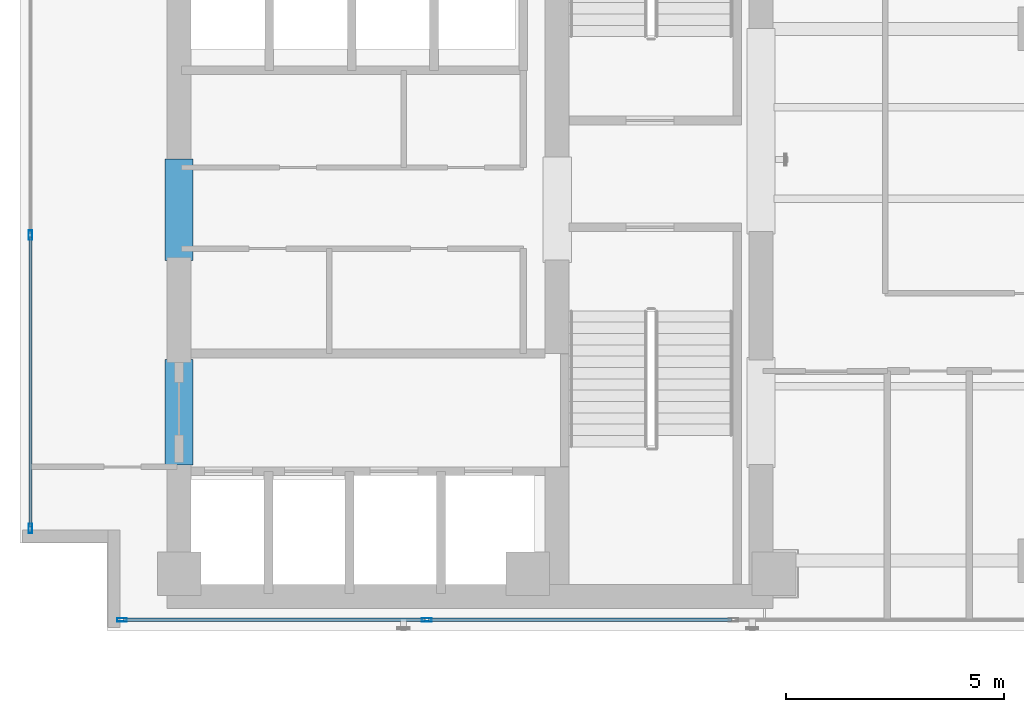
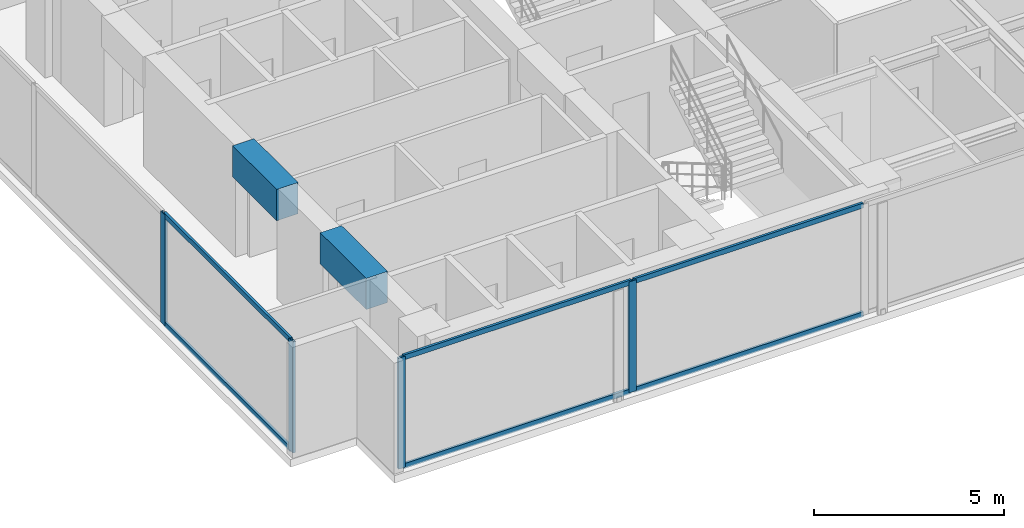
# One storey, part 2 of 23: 10 members, 2 beams, 2 elements without a shape of their own.
"""IFC4 building model written with IfcOpenShell, lengths in metres."""

from ifc_helpers import new_model, si_unit, direction, frame, origin, origin_with_axes, origin_2d, place, context, subcontext, project, spatial, rectangle, hollow_rectangle, extrude, source, transform, mapped, material, layer, layer_set, material_profile, profile_set, type_object, element, aggregate, save


model = new_model("IFC4")

# Units and contexts
model_context = context("Model", 3, precision=1e-05, world=origin(), true_north=direction((0.0, 1.0)))
body_context = subcontext(model_context, "Body", "Model", "MODEL_VIEW")
ifc_project = project(units=[si_unit("LENGTHUNIT", "METRE"), si_unit("AREAUNIT", "SQUARE_METRE"), si_unit("VOLUMEUNIT", "CUBIC_METRE"), si_unit("PLANEANGLEUNIT", "RADIAN"), si_unit("MASSUNIT", "GRAM", prefix="KILO")], contexts=[model_context])

# Site, building, storey
site_placement = place(None, origin())
site = spatial("IfcSite", under=ifc_project, at=site_placement, CompositionType="ELEMENT")
building_placement = place(site_placement, origin())
building = spatial("IfcBuilding", under=site, at=building_placement, Name="Kolvaren Waterfront Exchange", CompositionType="ELEMENT")
storey_placement = place(building_placement, frame((0.0, 0.0, 242.5)))
storey = spatial("IfcBuildingStorey", under=building, at=storey_placement, Name="L62", CompositionType="ELEMENT", Elevation=242.5)

# Beams
ifc_material_1 = material(Name="Concrete C60/75", Category="concrete")
ifc_material_profile_1 = material_profile(ifc_material_1, rectangle(XDim=0.64990234375, YDim=1.0, at=origin_2d()), Name="RC-CB-1000x650")
ifc_profile_set_1 = profile_set([ifc_material_profile_1], Name="Concrete C60/75")
beam_type = type_object("IfcBeamType", Name="STR-CB-1000", PredefinedType="SPANDREL", material=ifc_profile_set_1)
beam_1_placement = place(storey_placement, frame((7.449951171875, 7.389892578125, 3.06005859375), z_axis=(0.0, 1.0, 0.0), x_axis=(-1.0, 0.0, 0.0)))
element("IfcBeam", 1, at=beam_1_placement, inside=storey, type_object=beam_type, Name="L62 core coupling beam 3", PredefinedType="SPANDREL", context=body_context, shape_type="SweptSolid", body=[
    extrude(rectangle(XDim=0.64990234375, YDim=1.0, at=origin_2d()), origin(), (0.0, 0.0, 1.0), 2.420166015625),
])
beam_2_placement = place(storey_placement, frame((7.449951171875, 12.090087890625, 3.06005859375), z_axis=(0.0, 1.0, 0.0), x_axis=(-1.0, 0.0, 0.0)))
element("IfcBeam", 2, at=beam_2_placement, inside=storey, type_object=beam_type, Name="L62 core coupling beam 4", PredefinedType="SPANDREL", context=body_context, shape_type="SweptSolid", body=[
    extrude(rectangle(XDim=0.64990234375, YDim=1.0, at=origin_2d()), origin(), (0.0, 0.0, 1.0), 2.31982421875),
])

# Curtain wall, members
ifc_material_2 = material(Name="Anodised bronze aluminium 6063-T6", Category="aluminium")
ifc_layer_1 = layer(ifc_material_2, 0.219970703125, Name="Anodised bronze aluminium 6063-T6")
ifc_layer_set_1 = layer_set([ifc_layer_1], Name="Anodised bronze aluminium 6063-T6")
curtain_wall_type_1 = type_object("IfcCurtainWallType", Name="ARC-CW-SYS1", PredefinedType="USERDEFINED", material=ifc_layer_set_1)
curtain_wall_1_placement = place(storey_placement, origin())
curtain_wall_1 = element("IfcCurtainWall", 3, at=curtain_wall_1_placement, inside=storey, type_object=curtain_wall_type_1, Name="L62 stick curtain wall CW1 (CW-L62-S)", ObjectType="STICK CURTAIN WALL", PredefinedType="USERDEFINED")
ifc_material_3 = material(Name="Anodised aluminium 6063-T6", Category="aluminium")
ifc_material_profile_2 = material_profile(ifc_material_3, hollow_rectangle(XDim=0.080078125, YDim=0.219970703125, WallThickness=0.0048828125, at=origin_2d()), Name="ALU-MUL-220x80x5")
ifc_profile_set_2 = profile_set([ifc_material_profile_2], Name="Anodised aluminium 6063-T6")
member_type_1 = type_object("IfcMemberType", Name="ARC-CWM-220", PredefinedType="MULLION", material=ifc_profile_set_2)
shared_shape_1 = source(origin_with_axes(), body_context, "Body", "SweptSolid", [
    extrude(hollow_rectangle(XDim=0.080078125, YDim=0.219970703125, WallThickness=0.0048828125, at=origin_2d()), origin(), (0.0, 0.0, 1.0), 3.56005859375),
])
member_1_placement = place(storey_placement, frame((6.139892578125, 3.840087890625, 0.0), z_axis=(0.0, 0.0, 1.0), x_axis=(0.0, 1.0, 0.0)))
member_1 = element("IfcMember", 4, at=member_1_placement, type_object=member_type_1, Name="CW1 mullion 1", PredefinedType="MULLION", context=body_context, shape_type="MappedRepresentation", body=[
    mapped(shared_shape_1, transform((0.0, 0.0, 0.0), x_axis=(1.0, 0.0, 0.0), y_axis=(0.0, 1.0, 0.0), z_axis=(0.0, 0.0, 1.0), scale=1.0)),
])
member_2_placement = place(storey_placement, frame((13.13330078125, 3.840087890625, 0.0), z_axis=(0.0, 0.0, 1.0), x_axis=(0.0, 1.0, 0.0)))
member_2 = element("IfcMember", 5, at=member_2_placement, type_object=member_type_1, Name="CW1 mullion 2", PredefinedType="MULLION", context=body_context, shape_type="MappedRepresentation", body=[
    mapped(shared_shape_1, transform((0.0, 0.0, 0.0), x_axis=(1.0, 0.0, 0.0), y_axis=(0.0, 1.0, 0.0), z_axis=(0.0, 0.0, 1.0), scale=1.0)),
])

ifc_layer_2 = layer(ifc_material_3, 0.219970703125, Name="Anodised aluminium 6063-T6")
ifc_layer_set_2 = layer_set([ifc_layer_2], Name="Anodised aluminium 6063-T6")
curtain_wall_type_2 = type_object("IfcCurtainWallType", Name="ARC-CW-SYS2", PredefinedType="USERDEFINED", material=ifc_layer_set_2)
curtain_wall_2_placement = place(storey_placement, origin())
curtain_wall_2 = element("IfcCurtainWall", 6, at=curtain_wall_2_placement, inside=storey, type_object=curtain_wall_type_2, Name="L62 stick curtain wall CW2 (CW-L62-W)", ObjectType="STICK CURTAIN WALL", PredefinedType="USERDEFINED")
member_3_placement = place(storey_placement, frame((4.0400390625, 5.93994140625, 0.0), z_axis=(0.0, 0.0, 1.0), x_axis=(-1.0, 0.0, 0.0)))
member_3 = element("IfcMember", 7, at=member_3_placement, type_object=member_type_1, Name="CW2 mullion 1", PredefinedType="MULLION", context=body_context, shape_type="MappedRepresentation", body=[
    mapped(shared_shape_1, transform((0.0, 0.0, 0.0), x_axis=(1.0, 0.0, 0.0), y_axis=(0.0, 1.0, 0.0), z_axis=(0.0, 0.0, 1.0), scale=1.0)),
])
member_4_placement = place(storey_placement, frame((4.0400390625, 12.666748046875, 0.0), z_axis=(0.0, 0.0, 1.0), x_axis=(-1.0, 0.0, 0.0)))
member_4 = element("IfcMember", 8, at=member_4_placement, type_object=member_type_1, Name="CW2 mullion 2", PredefinedType="MULLION", context=body_context, shape_type="MappedRepresentation", body=[
    mapped(shared_shape_1, transform((0.0, 0.0, 0.0), x_axis=(1.0, 0.0, 0.0), y_axis=(0.0, 1.0, 0.0), z_axis=(0.0, 0.0, 1.0), scale=1.0)),
])
ifc_material_profile_3 = material_profile(ifc_material_3, hollow_rectangle(XDim=0.074951171875, YDim=0.159912109375, WallThickness=0.00439453125, at=origin_2d()), Name="ALU-TRN-160x75x4.5")
ifc_profile_set_3 = profile_set([ifc_material_profile_3], Name="Anodised aluminium 6063-T6")
member_type_2 = type_object("IfcMemberType", Name="ARC-CWT-160", PredefinedType="USERDEFINED", material=ifc_profile_set_3)
shared_shape_2 = source(origin_with_axes(), body_context, "Body", "SweptSolid", [
    extrude(hollow_rectangle(XDim=0.074951171875, YDim=0.159912109375, WallThickness=0.00439453125, at=origin_2d()), origin(), (0.0, 0.0, 1.0), 6.646728515625),
])
member_5_placement = place(storey_placement, frame((4.0400390625, 5.97998046875, 0.03759765625), z_axis=(0.0, 1.0, 0.0), x_axis=(-1.0, 0.0, 0.0)))
member_5 = element("IfcMember", 9, at=member_5_placement, type_object=member_type_2, Name="CW2 transom 1.1", ObjectType="TRANSOM", PredefinedType="USERDEFINED", context=body_context, shape_type="MappedRepresentation", body=[
    mapped(shared_shape_2, transform((0.0, 0.0, 0.0), x_axis=(1.0, 0.0, 0.0), y_axis=(0.0, 1.0, 0.0), z_axis=(0.0, 0.0, 1.0), scale=1.0)),
])
member_6_placement = place(storey_placement, frame((4.0400390625, 5.97998046875, 3.5224609375), z_axis=(0.0, 1.0, 0.0), x_axis=(-1.0, 0.0, 0.0)))
member_6 = element("IfcMember", 10, at=member_6_placement, type_object=member_type_2, Name="CW2 transom 1.2", ObjectType="TRANSOM", PredefinedType="USERDEFINED", context=body_context, shape_type="MappedRepresentation", body=[
    mapped(shared_shape_2, transform((0.0, 0.0, 0.0), x_axis=(1.0, 0.0, 0.0), y_axis=(0.0, 1.0, 0.0), z_axis=(0.0, 0.0, 1.0), scale=1.0)),
])
aggregate(curtain_wall_2, [member_3, member_4, member_5, member_6])

# Member
shared_shape_3 = source(origin_with_axes(), body_context, "Body", "SweptSolid", [
    extrude(hollow_rectangle(XDim=0.074951171875, YDim=0.159912109375, WallThickness=0.00439453125, at=origin_2d()), origin(), (0.0, 0.0, 1.0), 6.913330078125),
])
member_7_placement = place(storey_placement, frame((6.179931640625, 3.840087890625, 0.03759765625), z_axis=(1.0, 0.0, 0.0), x_axis=(0.0, 1.0, 0.0)))
member_7 = element("IfcMember", 11, at=member_7_placement, type_object=member_type_2, Name="CW1 transom 1.1", ObjectType="TRANSOM", PredefinedType="USERDEFINED", context=body_context, shape_type="MappedRepresentation", body=[
    mapped(shared_shape_3, transform((0.0, 0.0, 0.0), x_axis=(1.0, 0.0, 0.0), y_axis=(0.0, 1.0, 0.0), z_axis=(0.0, 0.0, 1.0), scale=1.0)),
])

member_8_placement = place(storey_placement, frame((6.179931640625, 3.840087890625, 3.5224609375), z_axis=(1.0, 0.0, 0.0), x_axis=(0.0, 1.0, 0.0)))
member_8 = element("IfcMember", 12, at=member_8_placement, type_object=member_type_2, Name="CW1 transom 1.2", ObjectType="TRANSOM", PredefinedType="USERDEFINED", context=body_context, shape_type="MappedRepresentation", body=[
    mapped(shared_shape_3, transform((0.0, 0.0, 0.0), x_axis=(1.0, 0.0, 0.0), y_axis=(0.0, 1.0, 0.0), z_axis=(0.0, 0.0, 1.0), scale=1.0)),
])

shared_shape_4 = source(origin_with_axes(), body_context, "Body", "SweptSolid", [
    extrude(hollow_rectangle(XDim=0.074951171875, YDim=0.159912109375, WallThickness=0.00439453125, at=origin_2d()), origin(), (0.0, 0.0, 1.0), 6.953369140625),
])
member_9_placement = place(storey_placement, frame((13.17333984375, 3.840087890625, 0.03759765625), z_axis=(1.0, 0.0, 0.0), x_axis=(0.0, 1.0, 0.0)))
member_9 = element("IfcMember", 13, at=member_9_placement, type_object=member_type_2, Name="CW1 transom 2.1", ObjectType="TRANSOM", PredefinedType="USERDEFINED", context=body_context, shape_type="MappedRepresentation", body=[
    mapped(shared_shape_4, transform((0.0, 0.0, 0.0), x_axis=(1.0, 0.0, 0.0), y_axis=(0.0, 1.0, 0.0), z_axis=(0.0, 0.0, 1.0), scale=1.0)),
])

member_10_placement = place(storey_placement, frame((13.17333984375, 3.840087890625, 3.5224609375), z_axis=(1.0, 0.0, 0.0), x_axis=(0.0, 1.0, 0.0)))
member_10 = element("IfcMember", 14, at=member_10_placement, type_object=member_type_2, Name="CW1 transom 2.2", ObjectType="TRANSOM", PredefinedType="USERDEFINED", context=body_context, shape_type="MappedRepresentation", body=[
    mapped(shared_shape_4, transform((0.0, 0.0, 0.0), x_axis=(1.0, 0.0, 0.0), y_axis=(0.0, 1.0, 0.0), z_axis=(0.0, 0.0, 1.0), scale=1.0)),
])

aggregate(curtain_wall_1, [member_1, member_2, member_7, member_8, member_9, member_10])

save(model, "model.ifc")
